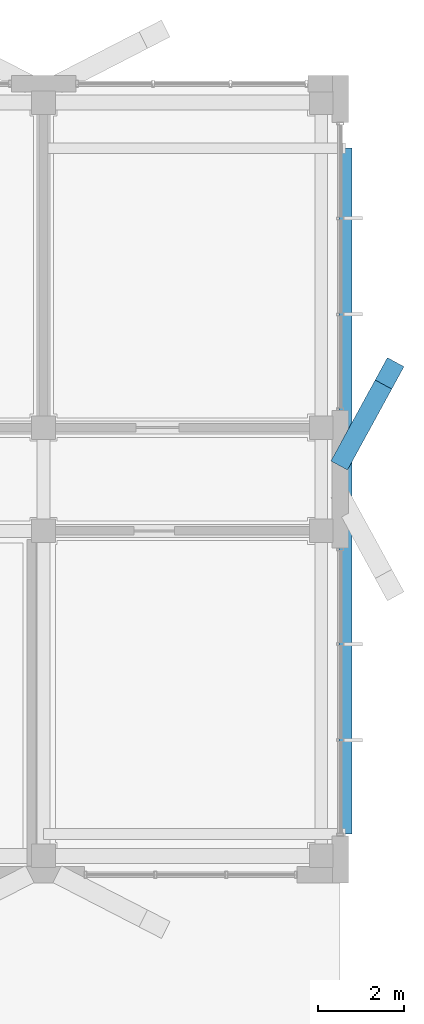
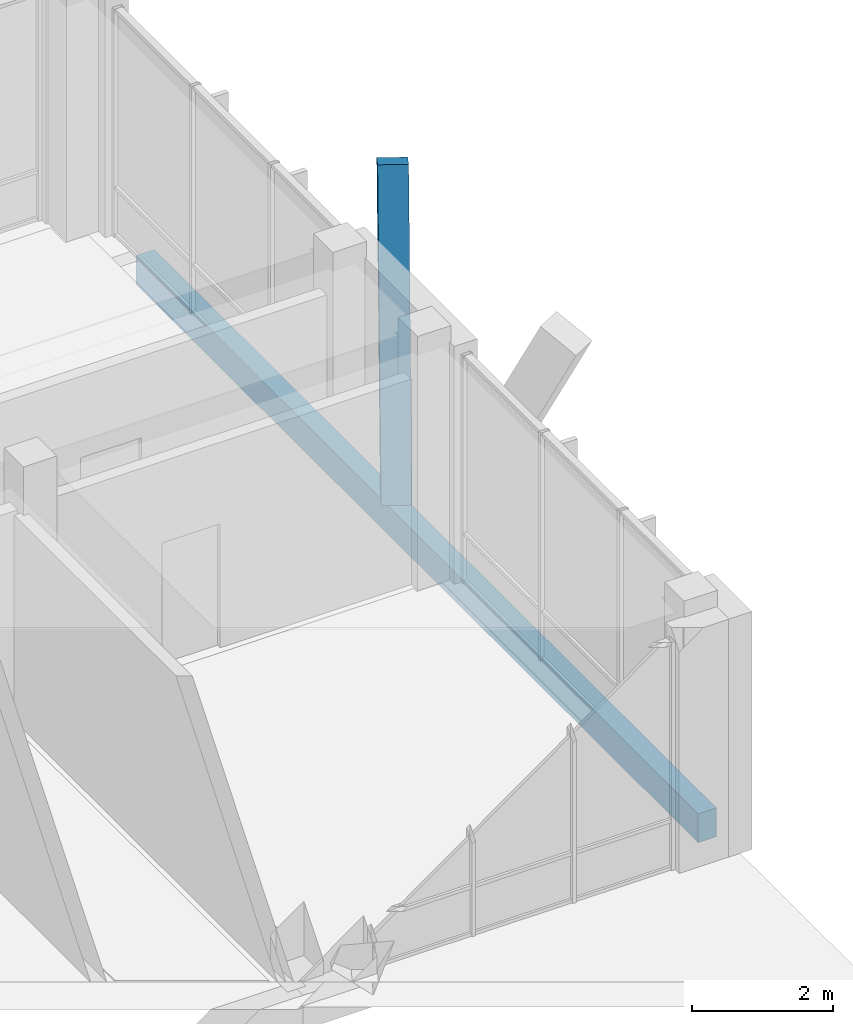
# One storey, part 174 of 233: 1 beam, 1 member.
"""IFC4 building model written with IfcOpenShell, lengths in metres."""

from ifc_helpers import new_model, si_unit, direction, frame, origin, origin_2d, place, context, subcontext, project, spatial, rectangle, extrude, material, material_profile, profile_set, type_object, element, save


model = new_model("IFC4")

# Units and contexts
model_context = context("Model", 3, precision=1e-05, world=origin(), true_north=direction((0.0, 1.0)))
body_context = subcontext(model_context, "Body", "Model", "MODEL_VIEW")
ifc_project = project(units=[si_unit("LENGTHUNIT", "METRE"), si_unit("AREAUNIT", "SQUARE_METRE"), si_unit("VOLUMEUNIT", "CUBIC_METRE"), si_unit("PLANEANGLEUNIT", "RADIAN"), si_unit("MASSUNIT", "GRAM", prefix="KILO")], contexts=[model_context])

# Site, building, storey
site_placement = place(None, origin())
site = spatial("IfcSite", under=ifc_project, at=site_placement, CompositionType="ELEMENT")
building_placement = place(site_placement, origin())
building = spatial("IfcBuilding", under=site, at=building_placement, Name="Zavelmont Quarter", CompositionType="ELEMENT")
storey_placement = place(building_placement, origin())
storey = spatial("IfcBuildingStorey", under=building, at=storey_placement, Name="L00", CompositionType="ELEMENT", Elevation=0.0)

# Beam
ifc_material_1 = material(Name="Concrete C35/45", Category="concrete")
ifc_material_profile_1 = material_profile(ifc_material_1, rectangle(XDim=0.300048828125, YDim=0.5, at=origin_2d()), Name="RC300X500")
ifc_profile_set_1 = profile_set([ifc_material_profile_1], Name="Concrete C35/45")
beam_type = type_object("IfcBeamType", Name="BM03", PredefinedType="BEAM", material=ifc_profile_set_1)
beam_placement = place(storey_placement, frame((168.1201171875, 98.550048828125, -0.25), z_axis=(0.0, 1.0, 0.0), x_axis=(-1.0, 0.0, 0.0)))
element("IfcBeam", 1, at=beam_placement, inside=storey, type_object=beam_type, Name="L00 beam BM03 25/P to 25/S", PredefinedType="BEAM", context=body_context, shape_type="SweptSolid", body=[
    extrude(rectangle(XDim=0.300048828125, YDim=0.5, at=origin_2d()), origin(), (0.0, 0.0, 1.0), 15.949951171875),
])

# Member
ifc_material_2 = material(Name="White architectural precast concrete C40/50", Category="concrete")
ifc_material_profile_2 = material_profile(ifc_material_2, rectangle(XDim=0.43994140625, YDim=0.659912109375, at=origin_2d()), Name="PCR320X480")
ifc_profile_set_2 = profile_set([ifc_material_profile_2], Name="White architectural precast concrete C40/50")
member_type = type_object("IfcMemberType", Name="VR01M", PredefinedType="CHORD", material=ifc_profile_set_2)
member_placement = place(storey_placement, frame((168.1201171875, 107.3798828125, 0.0), z_axis=(0.210347189113, 0.384738872453, 0.898738037504), x_axis=(-0.877425743859, 0.47971248057, 0.0)))
element("IfcMember", 2, at=member_placement, inside=storey, type_object=member_type, Name="L00 member VR01M 25/R to 25/R", PredefinedType="CHORD", context=body_context, shape_type="SweptSolid", body=[
    extrude(rectangle(XDim=0.43994140625, YDim=0.659912109375, at=origin_2d()), origin(), (0.0, 0.0, 1.0), 4.895751953125),
])

save(model, "model.ifc")
